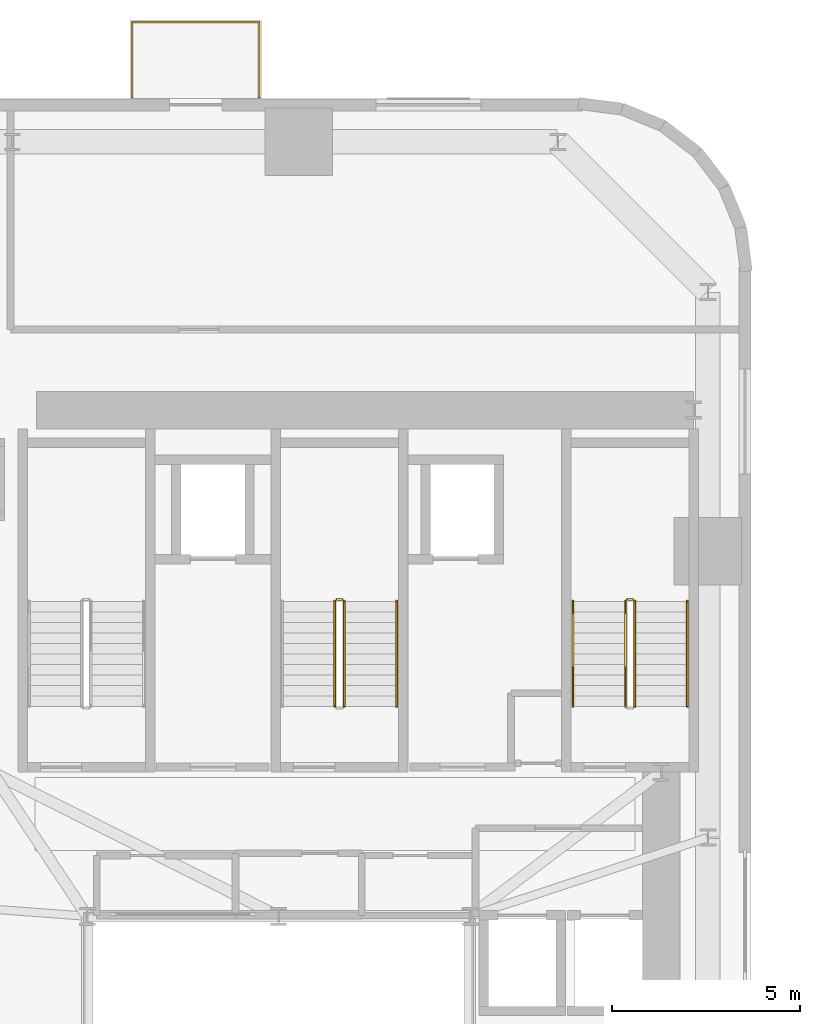
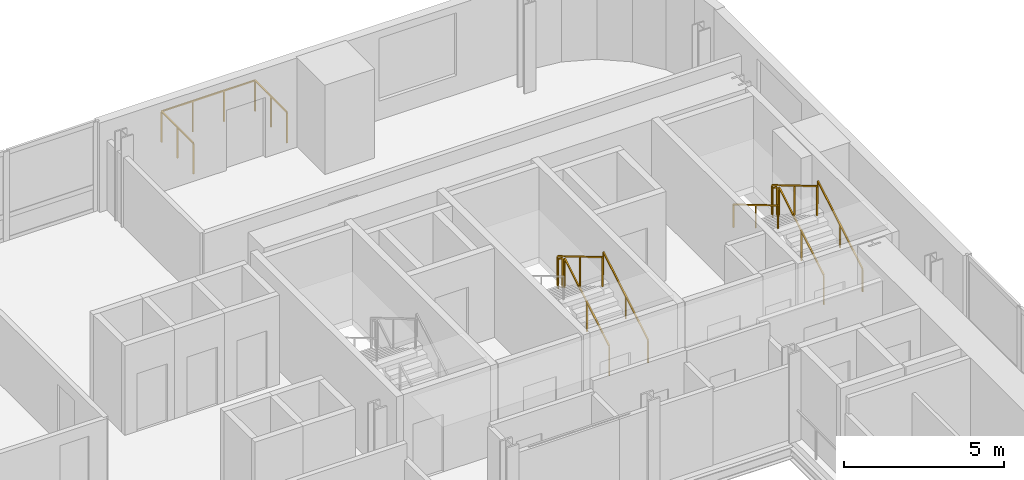
# One storey, part 13 of 13: 10 railings.
"""IFC4 building model written with IfcOpenShell, lengths in metres."""

from ifc_helpers import new_model, si_unit, direction, frame, origin, origin_2d, place, context, subcontext, project, spatial, rectangle, extrude, source, transform, mapped, material, type_object, element, save


model = new_model("IFC4")

# Units and contexts
model_context = context("Model", 3, precision=1e-05, world=origin(), true_north=direction((0.0, 1.0)))
body_context = subcontext(model_context, "Body", "Model", "MODEL_VIEW")
ifc_project = project(units=[si_unit("LENGTHUNIT", "METRE"), si_unit("AREAUNIT", "SQUARE_METRE"), si_unit("VOLUMEUNIT", "CUBIC_METRE"), si_unit("PLANEANGLEUNIT", "RADIAN"), si_unit("MASSUNIT", "GRAM", prefix="KILO")], contexts=[model_context])

# Site, building, storey
site_placement = place(None, origin())
site = spatial("IfcSite", under=ifc_project, at=site_placement, CompositionType="ELEMENT")
building_placement = place(site_placement, origin())
building = spatial("IfcBuilding", under=site, at=building_placement, Name="Vardaveli Station Tower", CompositionType="ELEMENT")
storey_placement = place(building_placement, frame((0.0, 0.0, 34.89990234375)))
storey = spatial("IfcBuildingStorey", under=building, at=storey_placement, Name="L08", CompositionType="ELEMENT", Elevation=34.89990234375)

# Railings
ifc_material_1 = material(Name="Laminated glass and stainless steel balustrade", Category="steel")
railing_type_1 = type_object("IfcRailingType", Name="RL-BAL-1200", PredefinedType="BALUSTRADE", material=ifc_material_1)
shared_shape_1 = source(origin(), body_context, "Body", "SweptSolid", [
    extrude(rectangle(XDim=0.048095703125, YDim=0.048095703125, at=origin_2d()), frame((0.0, 0.0, 1.17578125), z_axis=(0.0, 1.0, 0.0), x_axis=(-1.0, 0.0, 0.0)), (0.0, 0.0, 1.0), 2.0),
    extrude(rectangle(XDim=0.048095703125, YDim=0.048095703125, at=origin_2d()), frame((0.0, 2.0, 1.17578125), z_axis=(1.0, 0.0, 0.0), x_axis=(0.0, 1.0, 0.0)), (0.0, 0.0, 1.0), 3.3798828125),
    extrude(rectangle(XDim=0.048095703125, YDim=0.048095703125, at=origin_2d()), frame((3.3798828125, 2.0, 1.17578125), z_axis=(0.0, -1.0, 0.0), x_axis=(1.0, 0.0, 0.0)), (0.0, 0.0, 1.0), 2.0),
    extrude(rectangle(XDim=0.0419921875, YDim=0.0419921875, at=origin_2d()), origin(), (0.0, 0.0, 1.0), 1.15185546875),
    extrude(rectangle(XDim=0.0419921875, YDim=0.0419921875, at=origin_2d()), frame((0.0, 1.0, 0.0)), (0.0, 0.0, 1.0), 1.15185546875),
    extrude(rectangle(XDim=0.0419921875, YDim=0.0419921875, at=origin_2d()), frame((0.0, 2.0, 0.0)), (0.0, 0.0, 1.0), 1.15185546875),
    extrude(rectangle(XDim=0.0419921875, YDim=0.0419921875, at=origin_2d()), frame((1.126708984375, 2.0, 0.0)), (0.0, 0.0, 1.0), 1.15185546875),
    extrude(rectangle(XDim=0.0419921875, YDim=0.0419921875, at=origin_2d()), frame((2.253173828125, 2.0, 0.0)), (0.0, 0.0, 1.0), 1.15185546875),
    extrude(rectangle(XDim=0.0419921875, YDim=0.0419921875, at=origin_2d()), frame((3.3798828125, 2.0, 0.0)), (0.0, 0.0, 1.0), 1.15185546875),
    extrude(rectangle(XDim=0.0419921875, YDim=0.0419921875, at=origin_2d()), frame((3.3798828125, 1.0, 0.0)), (0.0, 0.0, 1.0), 1.15185546875),
    extrude(rectangle(XDim=0.0419921875, YDim=0.0419921875, at=origin_2d()), frame((3.3798828125, 0.0, 0.0)), (0.0, 0.0, 1.0), 1.15185546875),
])
railing_1_placement = place(storey_placement, frame((32.399658203125, 48.639892578125, 0.0)))
element("IfcRailing", 1, at=railing_1_placement, inside=storey, type_object=railing_type_1, Name="RL-LOG-L08-02", PredefinedType="BALUSTRADE", context=body_context, shape_type="MappedRepresentation", body=[
    mapped(shared_shape_1, transform((0.0, 0.0, 0.0), scale=1.0)),
])
ifc_material_2 = material(Name="Brushed AISI 316 stainless steel", Category="steel")
railing_type_2 = type_object("IfcRailingType", Name="RL-GUARD-1150", PredefinedType="GUARDRAIL", material=ifc_material_2)
shared_shape_2 = source(origin(), body_context, "Body", "SweptSolid", [
    extrude(rectangle(XDim=0.048095703125, YDim=0.048095703125, at=origin_2d()), frame((0.0, 0.0, 1.1259765625), z_axis=(-1.0, 0.0, 0.0), x_axis=(0.0, -1.0, 0.0)), (0.0, 0.0, 1.0), 0.14990234375),
    extrude(rectangle(XDim=0.0419921875, YDim=0.0419921875, at=origin_2d()), origin(), (0.0, 0.0, 1.0), 1.101806640625),
    extrude(rectangle(XDim=0.0419921875, YDim=0.0419921875, at=origin_2d()), frame((-0.14990234375, 0.0, 0.0)), (0.0, 0.0, 1.0), 1.101806640625),
])
for number, where, name in (
    (2, (38.0, 35.25, 1.8251953125), "L08 ST-2 stair guard 2"),
    (3, (45.75, 35.25, 1.8251953125), "L08 ST-3 stair guard 2"),
):
    element("IfcRailing", number, at=place(storey_placement, frame(where)), inside=storey, type_object=railing_type_2, Name=name, PredefinedType="GUARDRAIL", context=body_context, shape_type="MappedRepresentation", body=[
        mapped(shared_shape_2, transform((0.0, 0.0, 0.0), scale=1.0)),
    ])
shared_shape_3 = source(origin(), body_context, "Body", "SweptSolid", [
    extrude(rectangle(XDim=0.048095703125, YDim=0.048095703125, at=origin_2d()), frame((0.0, 0.0, 1.1259765625), z_axis=(0.0, 0.860306154799, 0.50977771628), x_axis=(-1.0, 0.0, 0.0)), (0.0, 0.0, 1.0), 3.254638671875),
    extrude(rectangle(XDim=0.0419921875, YDim=0.0419921875, at=origin_2d()), origin(), (0.0, 0.0, 1.0), 1.101806640625),
    extrude(rectangle(XDim=0.0419921875, YDim=0.0419921875, at=origin_2d()), frame((0.0, 1.39990234375, 0.82958984375)), (0.0, 0.0, 1.0), 1.101806640625),
    extrude(rectangle(XDim=0.0419921875, YDim=0.0419921875, at=origin_2d()), frame((0.0, 2.800048828125, 1.6591796875)), (0.0, 0.0, 1.0), 1.101806640625),
])
for number, where, name in (
    (4, (38.050048828125, 32.39990234375, 0.166015625), "L08 ST-2 stair guard 1"),
    (5, (45.800048828125, 32.39990234375, 0.166015625), "L08 ST-3 stair guard 1"),
):
    element("IfcRailing", number, at=place(storey_placement, frame(where)), inside=storey, type_object=railing_type_2, Name=name, PredefinedType="GUARDRAIL", context=body_context, shape_type="MappedRepresentation", body=[
        mapped(shared_shape_3, transform((0.0, 0.0, 0.0), scale=1.0)),
    ])
shared_shape_4 = source(origin(), body_context, "Body", "SweptSolid", [
    extrude(rectangle(XDim=0.048095703125, YDim=0.048095703125, at=origin_2d()), frame((0.0, 0.0, 1.1259765625), z_axis=(0.0, -0.860306154799, 0.50977771628), x_axis=(1.0, 0.0, 0.0)), (0.0, 0.0, 1.0), 3.254638671875),
    extrude(rectangle(XDim=0.0419921875, YDim=0.0419921875, at=origin_2d()), origin(), (0.0, 0.0, 1.0), 1.101806640625),
    extrude(rectangle(XDim=0.0419921875, YDim=0.0419921875, at=origin_2d()), frame((0.0, -1.39990234375, 0.82958984375)), (0.0, 0.0, 1.0), 1.101806640625),
    extrude(rectangle(XDim=0.0419921875, YDim=0.0419921875, at=origin_2d()), frame((0.0, -2.800048828125, 1.6591796875)), (0.0, 0.0, 1.0), 1.101806640625),
])
for number, where, name in (
    (6, (37.800048828125, 35.199951171875, 1.990966796875), "L08 ST-2 stair guard 3"),
    (7, (45.550048828125, 35.199951171875, 1.990966796875), "L08 ST-3 stair guard 3"),
):
    element("IfcRailing", number, at=place(storey_placement, frame(where)), inside=storey, type_object=railing_type_2, Name=name, PredefinedType="GUARDRAIL", context=body_context, shape_type="MappedRepresentation", body=[
        mapped(shared_shape_4, transform((0.0, 0.0, 0.0), scale=1.0)),
    ])
railing_type_3 = type_object("IfcRailingType", Name="RL-HAND-900", PredefinedType="HANDRAIL", material=ifc_material_2)
shared_shape_5 = source(origin(), body_context, "Body", "SweptSolid", [
    extrude(rectangle(XDim=0.048095703125, YDim=0.048095703125, at=origin_2d()), frame((0.0, 0.0, 0.8759765625), z_axis=(0.0, 0.860306154799, 0.50977771628), x_axis=(-1.0, 0.0, 0.0)), (0.0, 0.0, 1.0), 3.254638671875),
    extrude(rectangle(XDim=0.0419921875, YDim=0.0419921875, at=origin_2d()), origin(), (0.0, 0.0, 1.0), 0.851806640625),
    extrude(rectangle(XDim=0.0419921875, YDim=0.0419921875, at=origin_2d()), frame((0.0, 1.39990234375, 0.82958984375)), (0.0, 0.0, 1.0), 0.851806640625),
    extrude(rectangle(XDim=0.0419921875, YDim=0.0419921875, at=origin_2d()), frame((0.0, 2.800048828125, 1.6591796875)), (0.0, 0.0, 1.0), 0.851806640625),
])
for number, where, name in (
    (8, (39.449951171875, 32.39990234375, 0.166015625), "L08 ST-2 stair handrail 1"),
    (9, (47.199951171875, 32.39990234375, 0.166015625), "L08 ST-3 stair handrail 1"),
):
    element("IfcRailing", number, at=place(storey_placement, frame(where)), inside=storey, type_object=railing_type_3, Name=name, PredefinedType="HANDRAIL", context=body_context, shape_type="MappedRepresentation", body=[
        mapped(shared_shape_5, transform((0.0, 0.0, 0.0), scale=1.0)),
    ])
shared_shape_6 = source(origin(), body_context, "Body", "SweptSolid", [
    extrude(rectangle(XDim=0.048095703125, YDim=0.048095703125, at=origin_2d()), frame((0.0, 0.0, 0.8759765625), z_axis=(0.0, -0.860306154799, 0.50977771628), x_axis=(1.0, 0.0, 0.0)), (0.0, 0.0, 1.0), 3.254638671875),
    extrude(rectangle(XDim=0.0419921875, YDim=0.0419921875, at=origin_2d()), origin(), (0.0, 0.0, 1.0), 0.851806640625),
    extrude(rectangle(XDim=0.0419921875, YDim=0.0419921875, at=origin_2d()), frame((0.0, -1.39990234375, 0.82958984375)), (0.0, 0.0, 1.0), 0.851806640625),
    extrude(rectangle(XDim=0.0419921875, YDim=0.0419921875, at=origin_2d()), frame((0.0, -2.800048828125, 1.6591796875)), (0.0, 0.0, 1.0), 0.851806640625),
])
railing_2_placement = place(storey_placement, frame((44.14990234375, 35.199951171875, 1.990966796875)))
element("IfcRailing", 10, at=railing_2_placement, inside=storey, type_object=railing_type_3, Name="L08 ST-3 stair handrail 2", PredefinedType="HANDRAIL", context=body_context, shape_type="MappedRepresentation", body=[
    mapped(shared_shape_6, transform((0.0, 0.0, 0.0), scale=1.0)),
])

save(model, "model.ifc")
